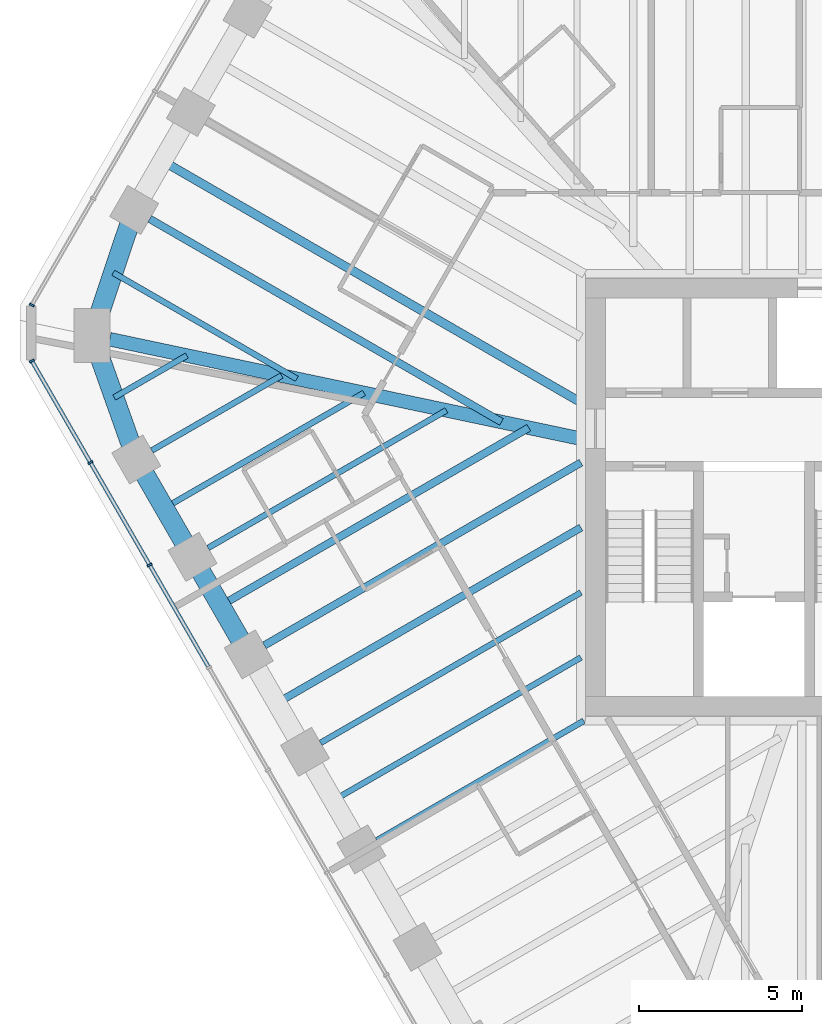
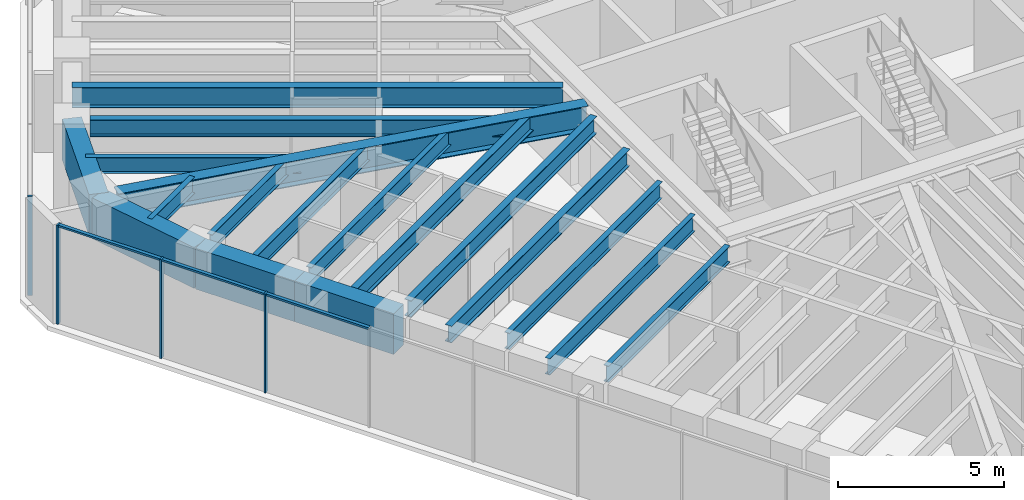
# One storey, part 3 of 14: 18 beams, 7 members, 2 elements without a shape of their own.
"""IFC4 building model written with IfcOpenShell, lengths in metres."""

from ifc_helpers import new_model, si_unit, direction, frame, origin, origin_2d, place, context, subcontext, project, spatial, rectangle, i_section, extrude, material, material_profile, profile_set, type_object, element, aggregate, save


model = new_model("IFC4")

# Units and contexts
model_context = context("Model", 3, precision=1e-05, world=origin(), true_north=direction((0.0, 1.0)))
body_context = subcontext(model_context, "Body", "Model", "MODEL_VIEW")
ifc_project = project(units=[si_unit("LENGTHUNIT", "METRE"), si_unit("AREAUNIT", "SQUARE_METRE"), si_unit("VOLUMEUNIT", "CUBIC_METRE"), si_unit("PLANEANGLEUNIT", "RADIAN"), si_unit("MASSUNIT", "GRAM", prefix="KILO")], contexts=[model_context])

# Site, building, storey
site_placement = place(None, origin())
site = spatial("IfcSite", under=ifc_project, at=site_placement, CompositionType="ELEMENT")
building_placement = place(site_placement, origin())
building = spatial("IfcBuilding", under=site, at=building_placement, Name="Sandreach Pilgrim Tower", CompositionType="ELEMENT")
storey_placement = place(building_placement, frame((0.0, 0.0, 260.800048828125)))
storey = spatial("IfcBuildingStorey", under=building, at=storey_placement, Name="L65", CompositionType="ELEMENT", Elevation=260.800048828125)

# Curtain wall, members
ifc_material_1 = material(Name="Aluminium framed curtain wall", Category="aluminium")
curtain_wall_type = type_object("IfcCurtainWallType", Name="Suite tower curtain wall", PredefinedType="NOTDEFINED", material=ifc_material_1)
curtain_wall_1_placement = place(storey_placement, origin())
curtain_wall_1 = element("IfcCurtainWall", 1, at=curtain_wall_1_placement, inside=storey, type_object=curtain_wall_type, Name="CW-4 L65 SW", PredefinedType="NOTDEFINED")
ifc_material_2 = material(Name="Aluminium extrusion", Category="aluminium")
ifc_material_profile_1 = material_profile(ifc_material_2, rectangle(XDim=0.06005859375, YDim=0.159912109375, at=origin_2d()), Name="CW-4M 60X160")
ifc_profile_set_1 = profile_set([ifc_material_profile_1], Name="Aluminium extrusion")
member_type_1 = type_object("IfcMemberType", Name="CW-4 mullion", PredefinedType="MULLION", material=ifc_profile_set_1)
member_1_placement = place(storey_placement, frame((-21.697509765625, -2.071533203125, 0.0), z_axis=(0.0, 0.0, 1.0), x_axis=(-0.5, 0.866025403784, 0.0)))
member_1 = element("IfcMember", 2, at=member_1_placement, type_object=member_type_1, Name="CW-4 mullion 8", PredefinedType="MULLION", context=body_context, shape_type="SweptSolid", body=[
    extrude(rectangle(XDim=0.06005859375, YDim=0.159912109375, at=origin_2d()), origin(), (0.0, 0.0, 1.0), 3.639892578125),
])
member_2_placement = place(storey_placement, frame((-23.508544921875, 1.06494140625, 0.0), z_axis=(0.0, 0.0, 1.0), x_axis=(-0.5, 0.866025403784, 0.0)))
member_2 = element("IfcMember", 3, at=member_2_placement, type_object=member_type_1, Name="CW-4 mullion 9", PredefinedType="MULLION", context=body_context, shape_type="SweptSolid", body=[
    extrude(rectangle(XDim=0.06005859375, YDim=0.159912109375, at=origin_2d()), origin(), (0.0, 0.0, 1.0), 3.639892578125),
])
member_3_placement = place(storey_placement, frame((-25.304443359375, 4.175537109375, 0.0), z_axis=(0.0, 0.0, 1.0), x_axis=(-0.5, 0.866025403784, 0.0)))
member_3 = element("IfcMember", 4, at=member_3_placement, type_object=member_type_1, Name="CW-4 mullion 10", PredefinedType="MULLION", context=body_context, shape_type="SweptSolid", body=[
    extrude(rectangle(XDim=0.06005859375, YDim=0.159912109375, at=origin_2d()), origin(), (0.0, 0.0, 1.0), 3.639892578125),
])

# Curtain wall, member
curtain_wall_2_placement = place(storey_placement, origin())
curtain_wall_2 = element("IfcCurtainWall", 5, at=curtain_wall_2_placement, inside=storey, type_object=curtain_wall_type, Name="CW-4 L65 NW", PredefinedType="NOTDEFINED")
member_4_placement = place(storey_placement, frame((-25.304443359375, 5.8876953125, 0.0), z_axis=(0.0, 0.0, 1.0), x_axis=(0.5, 0.866025403784, 0.0)))
member_4 = element("IfcMember", 6, at=member_4_placement, type_object=member_type_1, Name="CW-4 mullion 1", PredefinedType="MULLION", context=body_context, shape_type="SweptSolid", body=[
    extrude(rectangle(XDim=0.06005859375, YDim=0.159912109375, at=origin_2d()), origin(), (0.0, 0.0, 1.0), 3.639892578125),
])
aggregate(curtain_wall_2, [member_4])

# Member
ifc_material_3 = material(Name="Aluminium extrusion", Category="aluminium")
ifc_material_profile_2 = material_profile(ifc_material_3, rectangle(XDim=0.1201171875, YDim=0.070068359375, at=origin_2d()), Name="CW-4T 120X70")
ifc_profile_set_2 = profile_set([ifc_material_profile_2], Name="Aluminium extrusion")
member_type_2 = type_object("IfcMemberType", Name="CW-4 transom", PredefinedType="USERDEFINED", material=ifc_profile_set_2)
member_5_placement = place(storey_placement, frame((-19.901611328125, -5.182373046875, 3.60498046875), z_axis=(-0.500009219579, 0.866020080793, 0.0), x_axis=(-0.866020080793, -0.500009219579, 0.0)))
member_5 = element("IfcMember", 7, at=member_5_placement, type_object=member_type_2, Name="CW-4 head transom 7", ObjectType="TRANSOM", PredefinedType="USERDEFINED", context=body_context, shape_type="SweptSolid", body=[
    extrude(rectangle(XDim=0.1201171875, YDim=0.070068359375, at=origin_2d()), origin(), (0.0, 0.0, 1.0), 3.56201171875),
])

member_6_placement = place(storey_placement, frame((-21.71240234375, -2.045654296875, 3.60498046875), z_axis=(-0.500009219579, 0.866020080793, 0.0), x_axis=(-0.866020080793, -0.500009219579, 0.0)))
member_6 = element("IfcMember", 8, at=member_6_placement, type_object=member_type_2, Name="CW-4 head transom 8", ObjectType="TRANSOM", PredefinedType="USERDEFINED", context=body_context, shape_type="SweptSolid", body=[
    extrude(rectangle(XDim=0.1201171875, YDim=0.070068359375, at=origin_2d()), origin(), (0.0, 0.0, 1.0), 3.56201171875),
])

member_7_placement = place(storey_placement, frame((-23.5234375, 1.091064453125, 3.60498046875), z_axis=(-0.499997709859, 0.866026725994, 0.0), x_axis=(-0.866026725994, -0.499997709859, 0.0)))
member_7 = element("IfcMember", 9, at=member_7_placement, type_object=member_type_2, Name="CW-4 head transom 9", ObjectType="TRANSOM", PredefinedType="USERDEFINED", context=body_context, shape_type="SweptSolid", body=[
    extrude(rectangle(XDim=0.1201171875, YDim=0.070068359375, at=origin_2d()), origin(), (0.0, 0.0, 1.0), 3.53173828125),
])

aggregate(curtain_wall_1, [member_1, member_2, member_3, member_5, member_6, member_7])

# Beams
ifc_material_4 = material(Name="Steel ASTM A992 Grade 50", Category="steel")
ifc_material_profile_3 = material_profile(ifc_material_4, i_section(OverallWidth=0.419189453125, OverallDepth=0.927001953125, WebThickness=0.019287109375, FlangeThickness=0.031982421875, at=origin_2d()), Name="W36X231")
ifc_profile_set_3 = profile_set([ifc_material_profile_3], Name="Steel ASTM A992 Grade 50")
beam_type_1 = type_object("IfcBeamType", Name="Corner girder W36X231", PredefinedType="BEAM", material=ifc_profile_set_3)
beam_1_placement = place(storey_placement, frame((-22.917724609375, 4.838623046875, 3.176513671875), z_axis=(0.978430270369, -0.206577360876, 0.0), x_axis=(0.206577360876, 0.978430270369, 0.0)))
element("IfcBeam", 10, at=beam_1_placement, inside=storey, type_object=beam_type_1, Name="BM L65 CG35", PredefinedType="BEAM", context=body_context, shape_type="SweptSolid", body=[
    extrude(i_section(OverallWidth=0.419189453125, OverallDepth=0.927001953125, WebThickness=0.019287109375, FlangeThickness=0.031982421875, at=origin_2d()), origin(), (0.0, 0.0, 1.0), 14.888671875),
])
ifc_material_5 = material(Name="Steel ASTM A992 Grade 50", Category="steel")
ifc_material_profile_4 = material_profile(ifc_material_5, i_section(OverallWidth=0.1787109375, OverallDepth=0.60205078125, WebThickness=0.010986328125, FlangeThickness=0.014892578125, at=origin_2d()), Name="W24X62")
ifc_profile_set_4 = profile_set([ifc_material_profile_4], Name="Steel ASTM A992 Grade 50")
beam_type_2 = type_object("IfcBeamType", Name="Floor beam W24X62", PredefinedType="BEAM", material=ifc_profile_set_4)
beam_2_placement = place(storey_placement, frame((-14.741455078125, -10.5, 3.3388671875), z_axis=(0.866019920622, 0.500009496996, 0.0), x_axis=(-0.500009496996, 0.866019920622, 0.0)))
element("IfcBeam", 11, at=beam_2_placement, inside=storey, type_object=beam_type_2, Name="BM L65 F30", PredefinedType="BEAM", context=body_context, shape_type="SweptSolid", body=[
    extrude(i_section(OverallWidth=0.1787109375, OverallDepth=0.60205078125, WebThickness=0.010986328125, FlangeThickness=0.014892578125, at=origin_2d()), origin(), (0.0, 0.0, 1.0), 7.313232421875),
])
beam_3_placement = place(storey_placement, frame((-16.4638671875, -7.516357421875, 3.3388671875), z_axis=(0.866022580836, 0.500004889459, 0.0), x_axis=(-0.500004889459, 0.866022580836, 0.0)))
element("IfcBeam", 12, at=beam_3_placement, inside=storey, type_object=beam_type_2, Name="BM L65 F31", PredefinedType="BEAM", context=body_context, shape_type="SweptSolid", body=[
    extrude(i_section(OverallWidth=0.1787109375, OverallDepth=0.60205078125, WebThickness=0.010986328125, FlangeThickness=0.014892578125, at=origin_2d()), origin(), (0.0, 0.0, 1.0), 9.20361328125),
])
beam_4_placement = place(storey_placement, frame((-19.908935546875, -1.549560546875, 3.3388671875), z_axis=(0.866026819143, 0.499997548519, 0.0), x_axis=(-0.499997548519, 0.866026819143, 0.0)))
element("IfcBeam", 13, at=beam_4_placement, inside=storey, type_object=beam_type_2, Name="BM L65 F33", PredefinedType="BEAM", context=body_context, shape_type="SweptSolid", body=[
    extrude(i_section(OverallWidth=0.1787109375, OverallDepth=0.60205078125, WebThickness=0.010986328125, FlangeThickness=0.014892578125, at=origin_2d()), origin(), (0.0, 0.0, 1.0), 8.4248046875),
])
beam_5_placement = place(storey_placement, frame((-21.631591796875, 1.433837890625, 3.3388671875), z_axis=(0.866037621819, 0.499978837146, 0.0), x_axis=(-0.499978837146, 0.866037621819, 0.0)))
element("IfcBeam", 14, at=beam_5_placement, inside=storey, type_object=beam_type_2, Name="BM L65 F34", PredefinedType="BEAM", context=body_context, shape_type="SweptSolid", body=[
    extrude(i_section(OverallWidth=0.1787109375, OverallDepth=0.60205078125, WebThickness=0.010986328125, FlangeThickness=0.014892578125, at=origin_2d()), origin(), (0.0, 0.0, 1.0), 4.588623046875),
])
beam_6_placement = place(storey_placement, frame((-16.0791015625, -9.283203125, 3.3388671875), z_axis=(0.866023595995, 0.500003131169, 0.0), x_axis=(-0.500003131169, 0.866023595995, 0.0)))
element("IfcBeam", 15, at=beam_6_placement, inside=storey, type_object=beam_type_2, Name="BM L65 FM30", PredefinedType="BEAM", context=body_context, shape_type="SweptSolid", body=[
    extrude(i_section(OverallWidth=0.1787109375, OverallDepth=0.60205078125, WebThickness=0.010986328125, FlangeThickness=0.014892578125, at=origin_2d()), origin(), (0.0, 0.0, 1.0), 8.75927734375),
])
beam_7_placement = place(storey_placement, frame((-21.24658203125, -0.332763671875, 3.3388671875), z_axis=(0.866028878405, 0.499993981732, 0.0), x_axis=(-0.499993981732, 0.866028878405, 0.0)))
element("IfcBeam", 16, at=beam_7_placement, inside=storey, type_object=beam_type_2, Name="BM L65 FM33", PredefinedType="BEAM", context=body_context, shape_type="SweptSolid", body=[
    extrude(i_section(OverallWidth=0.1787109375, OverallDepth=0.60205078125, WebThickness=0.010986328125, FlangeThickness=0.014892578125, at=origin_2d()), origin(), (0.0, 0.0, 1.0), 7.056640625),
])
beam_8_placement = place(storey_placement, frame((-22.78173828125, 3.0556640625, 3.3388671875), z_axis=(0.8660004255, 0.500043261163, 0.0), x_axis=(-0.500043261163, 0.8660004255, 0.0)))
element("IfcBeam", 17, at=beam_8_placement, inside=storey, type_object=beam_type_2, Name="BM L65 FM34", PredefinedType="BEAM", context=body_context, shape_type="SweptSolid", body=[
    extrude(i_section(OverallWidth=0.1787109375, OverallDepth=0.60205078125, WebThickness=0.010986328125, FlangeThickness=0.014892578125, at=origin_2d()), origin(), (0.0, 0.0, 1.0), 2.569091796875),
])
beam_9_placement = place(storey_placement, frame((-22.8125, 6.875, 3.3388671875), z_axis=(0.866023980233, -0.500002465655, 0.0), x_axis=(0.500002465655, 0.866023980233, 0.0)))
element("IfcBeam", 18, at=beam_9_placement, inside=storey, type_object=beam_type_2, Name="BM L65 FM35", PredefinedType="BEAM", context=body_context, shape_type="SweptSolid", body=[
    extrude(i_section(OverallWidth=0.1787109375, OverallDepth=0.60205078125, WebThickness=0.010986328125, FlangeThickness=0.014892578125, at=origin_2d()), origin(), (0.0, 0.0, 1.0), 6.49072265625),
])
ifc_material_6 = material(Name="Steel ASTM A992 Grade 50", Category="steel")
ifc_material_profile_5 = material_profile(ifc_material_6, i_section(OverallWidth=0.23046875, OverallDepth=0.6171875, WebThickness=0.01318359375, FlangeThickness=0.022216796875, at=origin_2d()), Name="W24X94")
ifc_profile_set_5 = profile_set([ifc_material_profile_5], Name="Steel ASTM A992 Grade 50")
beam_type_3 = type_object("IfcBeamType", Name="Floor beam W24X94", PredefinedType="BEAM", material=ifc_profile_set_5)
beam_10_placement = place(storey_placement, frame((-18.1865234375, -4.532958984375, 3.331298828125), z_axis=(0.866030482771, 0.499991202833, 0.0), x_axis=(-0.499991202833, 0.866030482771, 0.0)))
element("IfcBeam", 19, at=beam_10_placement, inside=storey, type_object=beam_type_3, Name="BM L65 F32", PredefinedType="BEAM", context=body_context, shape_type="SweptSolid", body=[
    extrude(i_section(OverallWidth=0.23046875, OverallDepth=0.6171875, WebThickness=0.01318359375, FlangeThickness=0.022216796875, at=origin_2d()), origin(), (0.0, 0.0, 1.0), 11.192626953125),
])
beam_11_placement = place(storey_placement, frame((-21.69287109375, 8.522705078125, 3.331298828125), z_axis=(0.866028931402, -0.499993889937, 0.0), x_axis=(0.499993889937, 0.866028931402, 0.0)))
element("IfcBeam", 20, at=beam_11_placement, inside=storey, type_object=beam_type_3, Name="BM L65 F36", PredefinedType="BEAM", context=body_context, shape_type="SweptSolid", body=[
    extrude(i_section(OverallWidth=0.23046875, OverallDepth=0.6171875, WebThickness=0.01318359375, FlangeThickness=0.022216796875, at=origin_2d()), origin(), (0.0, 0.0, 1.0), 12.431396484375),
])
beam_12_placement = place(storey_placement, frame((-17.801513671875, -6.2998046875, 3.331298828125), z_axis=(0.866025958161, 0.49999903979, 0.0), x_axis=(-0.49999903979, 0.866025958161, 0.0)))
element("IfcBeam", 21, at=beam_12_placement, inside=storey, type_object=beam_type_3, Name="BM L65 FM31", PredefinedType="BEAM", context=body_context, shape_type="SweptSolid", body=[
    extrude(i_section(OverallWidth=0.23046875, OverallDepth=0.6171875, WebThickness=0.01318359375, FlangeThickness=0.022216796875, at=origin_2d()), origin(), (0.0, 0.0, 1.0), 10.748046875),
])
beam_13_placement = place(storey_placement, frame((-19.52392578125, -3.316162109375, 3.331298828125), z_axis=(0.866029205616, 0.499993414976, 0.0), x_axis=(-0.499993414976, 0.866029205616, 0.0)))
element("IfcBeam", 22, at=beam_13_placement, inside=storey, type_object=beam_type_3, Name="BM L65 FM32", PredefinedType="BEAM", context=body_context, shape_type="SweptSolid", body=[
    extrude(i_section(OverallWidth=0.23046875, OverallDepth=0.6171875, WebThickness=0.01318359375, FlangeThickness=0.022216796875, at=origin_2d()), origin(), (0.0, 0.0, 1.0), 10.893310546875),
])
ifc_material_7 = material(Name="Steel ASTM A992 Grade 50", Category="steel")
ifc_material_profile_6 = material_profile(ifc_material_7, i_section(OverallWidth=0.2666015625, OverallDepth=0.761962890625, WebThickness=0.014404296875, FlangeThickness=0.021484375, at=origin_2d()), Name="W30X116")
ifc_profile_set_6 = profile_set([ifc_material_profile_6], Name="Steel ASTM A992 Grade 50")
beam_type_4 = type_object("IfcBeamType", Name="Floor beam W30X116", PredefinedType="BEAM", material=ifc_profile_set_6)
beam_14_placement = place(storey_placement, frame((-21.302978515625, 10.29833984375, 3.259033203125), z_axis=(0.866028362181, -0.499994875871, 0.0), x_axis=(0.499994875871, 0.866028362181, 0.0)))
element("IfcBeam", 23, at=beam_14_placement, inside=storey, type_object=beam_type_4, Name="BM L65 FM36", PredefinedType="BEAM", context=body_context, shape_type="SweptSolid", body=[
    extrude(i_section(OverallWidth=0.2666015625, OverallDepth=0.761962890625, WebThickness=0.014404296875, FlangeThickness=0.021484375, at=origin_2d()), origin(), (0.0, 0.0, 1.0), 14.791259765625),
])
ifc_material_8 = material(Name="Concrete 10000 psi", Category="concrete")
ifc_material_profile_7 = material_profile(ifc_material_8, rectangle(XDim=0.60009765625, YDim=1.5, at=origin_2d()), Name="RC600X1500")
ifc_profile_set_7 = profile_set([ifc_material_profile_7], Name="Concrete 10000 psi")
beam_type_5 = type_object("IfcBeamType", Name="Spandrel beam RC600X1500", PredefinedType="SPANDREL", material=ifc_profile_set_7)
for number, where, z_axis, x_axis, name in (
    (24, (-18.662841796875, -4.80810546875, 2.889892578125), (-0.499957605418, 0.866049878924, 0.0), (-0.866049878924, -0.499957605418, 0.0), "BM L65 SP32"),
    (25, (-20.38525390625, -1.824462890625, 2.889892578125), (-0.500041441558, 0.866001476168, 0.0), (-0.866001476168, -0.500041441558, 0.0), "BM L65 SP33"),
):
    element("IfcBeam", number, at=place(storey_placement, frame(where, z_axis=z_axis, x_axis=x_axis)), inside=storey, type_object=beam_type_5, Name=name, PredefinedType="SPANDREL", context=body_context, shape_type="SweptSolid", body=[
        extrude(rectangle(XDim=0.60009765625, YDim=1.5, at=origin_2d()), origin(), (0.0, 0.0, 1.0), 3.445068359375),
    ])
beam_15_placement = place(storey_placement, frame((-22.10791015625, 1.158935546875, 2.889892578125), z_axis=(-0.33481464839, 0.94228400773, 0.0), x_axis=(-0.94228400773, -0.33481464839, 0.0)))
element("IfcBeam", 26, at=beam_15_placement, inside=storey, type_object=beam_type_5, Name="BM L65 SP34", PredefinedType="SPANDREL", context=body_context, shape_type="SweptSolid", body=[
    extrude(rectangle(XDim=0.60009765625, YDim=1.5, at=origin_2d()), origin(), (0.0, 0.0, 1.0), 4.02587890625),
])
beam_16_placement = place(storey_placement, frame((-23.455810546875, 4.952392578125, 2.889892578125), z_axis=(0.317293238289, 0.948327475578, 0.0), x_axis=(-0.948327475578, 0.317293238289, 0.0)))
element("IfcBeam", 27, at=beam_16_placement, inside=storey, type_object=beam_type_5, Name="BM L65 SP35", PredefinedType="SPANDREL", context=body_context, shape_type="SweptSolid", body=[
    extrude(rectangle(XDim=0.60009765625, YDim=1.5, at=origin_2d()), origin(), (0.0, 0.0, 1.0), 4.054931640625),
])

save(model, "model.ifc")
